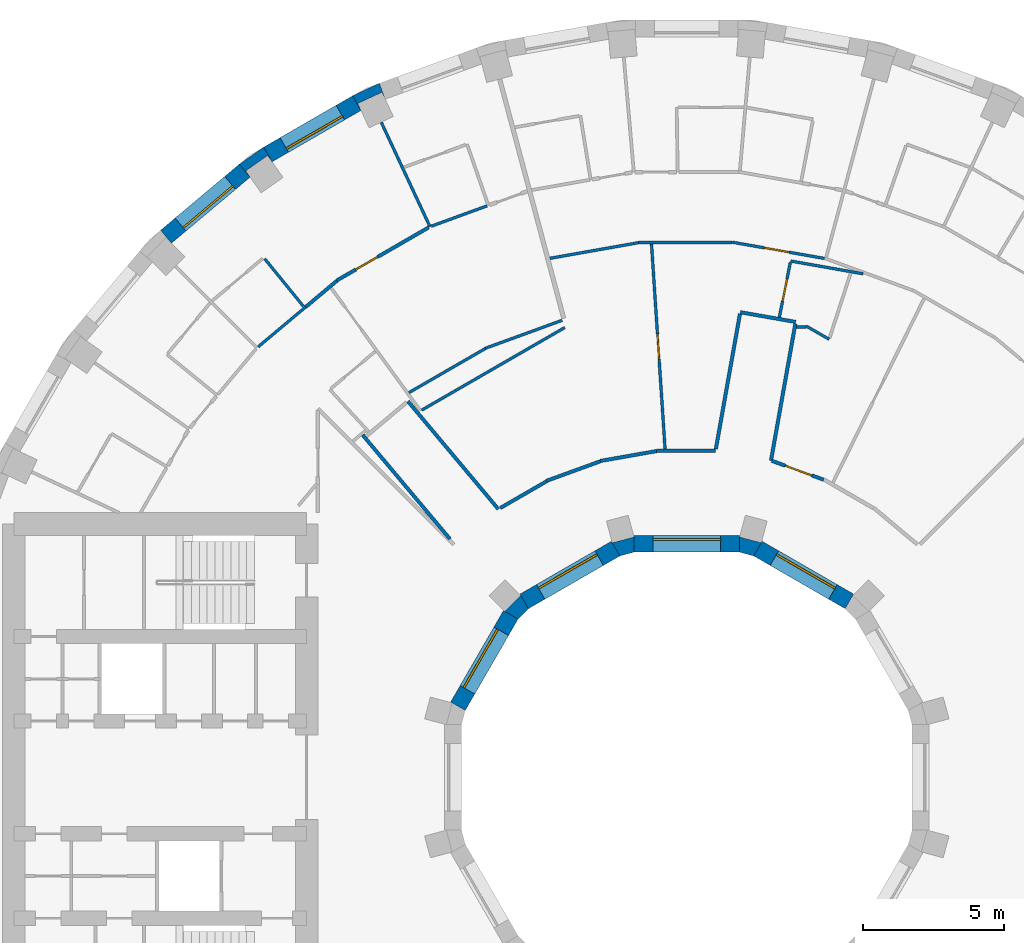
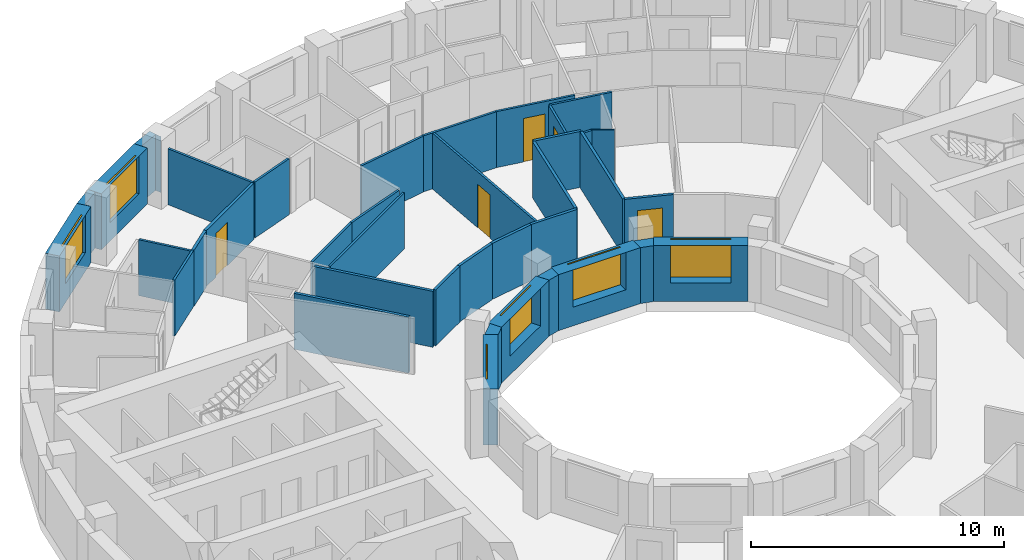
# One storey, part 12 of 16: 38 walls, 6 windows, 5 doors, 11 openings.
"""IFC4 building model written with IfcOpenShell, lengths in metres."""

from ifc_helpers import new_model, si_unit, direction, frame, frame_2d, origin, place, context, subcontext, project, spatial, polyline, rectangle, outline, extrude, material, layer, layer_set, type_object, element, fill, save


model = new_model("IFC4")

# Units and contexts
model_context = context("Model", 3, precision=1e-05, world=origin(), true_north=direction((0.0, 1.0)))
body_context = subcontext(model_context, "Body", "Model", "MODEL_VIEW")
ifc_project = project(units=[si_unit("LENGTHUNIT", "METRE"), si_unit("AREAUNIT", "SQUARE_METRE"), si_unit("VOLUMEUNIT", "CUBIC_METRE"), si_unit("PLANEANGLEUNIT", "RADIAN"), si_unit("MASSUNIT", "GRAM", prefix="KILO")], contexts=[model_context])

# Site, building, storey
site_placement = place(None, origin())
site = spatial("IfcSite", under=ifc_project, at=site_placement, CompositionType="ELEMENT")
building_placement = place(site_placement, origin())
building = spatial("IfcBuilding", under=site, at=building_placement, Name="Saqina Gate Tower", CompositionType="ELEMENT")
storey_placement = place(building_placement, frame((0.0, 0.0, 148.0)))
storey = spatial("IfcBuildingStorey", under=building, at=storey_placement, Name="L42", CompositionType="ELEMENT", Elevation=148.0)

# Walls
ifc_material_1 = material(Name="Brick masonry (buff)", Category="masonry")
wall_type_1 = type_object("IfcWallType", Name="BRICK PIER COPING BUFF", PredefinedType="SOLIDWALL", material=ifc_material_1)
wall_1_placement = place(storey_placement, origin())
element("IfcWall", 1, at=wall_1_placement, inside=storey, type_object=wall_type_1, Name="Pier cap L42 column 12", PredefinedType="SOLIDWALL", context=body_context, shape_type="SweptSolid", body=[
    extrude(outline(polyline([(-10.913330078125, 24.6513671875), (-11.869140625, 24.205810546875), (-11.569091796875, 23.68603515625), (-11.6826171875, 23.9296875), (-10.82177734375, 24.331298828125), (-10.7080078125, 24.08740234375), (-10.913330078125, 24.6513671875)])), origin(), (0.0, 0.0, 1.0), 2.699951171875),
])
wall_2_placement = place(storey_placement, origin())
element("IfcWall", 2, at=wall_2_placement, inside=storey, type_object=wall_type_1, Name="Pier cap L42 column 13", PredefinedType="SOLIDWALL", context=body_context, shape_type="SweptSolid", body=[
    extrude(outline(polyline([(-15.89208984375, 21.77685546875), (-15.50634765625, 21.317138671875), (-15.66064453125, 21.53759765625), (-14.88232421875, 22.08251953125), (-14.728271484375, 21.862060546875), (-15.0283203125, 22.3818359375), (-15.89208984375, 21.77685546875)])), origin(), (0.0, 0.0, 1.0), 2.699951171875),
])

# Wall, opening, window
ifc_material_2 = material(Name="Brick masonry (buff)", Category="masonry")
ifc_layer_1 = layer(ifc_material_2, 0.60009765625)
ifc_layer_set_1 = layer_set([ifc_layer_1], Name="FW-BRICK-BUFF")
wall_type_2 = type_object("IfcWallType", Name="FW-BRICK-BUFF", PredefinedType="SOLIDWALL", material=ifc_layer_set_1)
wall_3_placement = place(storey_placement, frame((-11.718994140625, 23.94580078125, 0.0), z_axis=(0.0, 0.0, 1.0), x_axis=(-0.866051847062, -0.499954196102, 0.0)))
wall_3 = element("IfcWall", 3, at=wall_3_placement, inside=storey, type_object=wall_type_2, Name="Facade wall L42 facet 12", PredefinedType="SOLIDWALL", context=body_context, shape_type="SweptSolid", body=[
    extrude(rectangle(XDim=3.647705078125, YDim=0.60009765625, at=frame_2d((1.82373046875, 0.0))), origin(), (0.0, 0.0, 1.0), 2.699951171875),
])
opening_1_placement = place(wall_3_placement, frame((0.673828125, 0.0, 0.89990234375)))
opening_1 = element("IfcOpeningElement", 4, at=opening_1_placement, cuts=wall_3, Name="Opening G12-W10", PredefinedType="OPENING", context=body_context, shape_type="SweptSolid", body=[
    extrude(rectangle(XDim=2.300048828125, YDim=1.800048828125, at=frame_2d((1.14990234375, 0.89990234375))), frame((0.0, 0.31201171875, 0.0), z_axis=(0.0, -1.0, 0.0), x_axis=(1.0, 0.0, 0.0)), (0.0, 0.0, 1.0), 0.6240234375),
])
ifc_material_3 = material(Name="Aluminium glazing", Category="aluminium")
window_type_1 = type_object("IfcWindowType", Name="WN-B", PartitioningType="SINGLE_PANEL", PredefinedType="WINDOW", material=ifc_material_3)
window_1_placement = place(opening_1_placement, origin())
window_1 = element("IfcWindow", 5, at=window_1_placement, inside=storey, type_object=window_type_1, Name="Window L42 facet 12", OverallHeight=1.800048828125, OverallWidth=2.300048828125, PartitioningType="SINGLE_PANEL", PredefinedType="WINDOW", context=body_context, shape_type="SweptSolid", body=[
    extrude(rectangle(XDim=2.300048828125, YDim=1.800048828125, at=frame_2d((1.14990234375, 0.89990234375))), frame((0.0, 0.179931640625, 0.0), z_axis=(0.0, -1.0, 0.0), x_axis=(1.0, 0.0, 0.0)), (0.0, 0.0, 1.0), 0.06005859375),
])
fill(opening_1, window_1)

wall_4_placement = place(storey_placement, frame((-15.69921875, 21.547119140625, 0.0), z_axis=(0.0, 0.0, 1.0), x_axis=(-0.766055462616, -0.642774476932, 0.0)))
wall_4 = element("IfcWall", 6, at=wall_4_placement, inside=storey, type_object=wall_type_2, Name="Facade wall L42 facet 13", PredefinedType="SOLIDWALL", context=body_context, shape_type="SweptSolid", body=[
    extrude(rectangle(XDim=3.647705078125, YDim=0.60009765625, at=frame_2d((1.82373046875, 0.0))), origin(), (0.0, 0.0, 1.0), 2.699951171875),
])
opening_2_placement = place(wall_4_placement, frame((0.673828125, 0.0, 0.89990234375)))
opening_2 = element("IfcOpeningElement", 7, at=opening_2_placement, cuts=wall_4, Name="Opening G12-W11", PredefinedType="OPENING", context=body_context, shape_type="SweptSolid", body=[
    extrude(rectangle(XDim=2.300048828125, YDim=1.800048828125, at=frame_2d((1.14990234375, 0.89990234375))), frame((0.0, 0.31201171875, 0.0), z_axis=(0.0, -1.0, 0.0), x_axis=(1.0, 0.0, 0.0)), (0.0, 0.0, 1.0), 0.6240234375),
])
window_2_placement = place(opening_2_placement, origin())
window_2 = element("IfcWindow", 8, at=window_2_placement, inside=storey, type_object=window_type_1, Name="Window L42 facet 13", OverallHeight=1.800048828125, OverallWidth=2.300048828125, PartitioningType="SINGLE_PANEL", PredefinedType="WINDOW", context=body_context, shape_type="SweptSolid", body=[
    extrude(rectangle(XDim=2.300048828125, YDim=1.800048828125, at=frame_2d((1.14990234375, 0.89990234375))), frame((0.0, 0.179931640625, 0.0), z_axis=(0.0, -1.0, 0.0), x_axis=(1.0, 0.0, 0.0)), (0.0, 0.0, 1.0), 0.06005859375),
])
fill(opening_2, window_2)

ifc_material_4 = material(Name="Glazed ceramic tile", Category="ceramic")
ifc_layer_2 = layer(ifc_material_4, 0.60009765625)
ifc_layer_set_2 = layer_set([ifc_layer_2], Name="IW-TILE")
wall_type_3 = type_object("IfcWallType", Name="IW-TILE", PredefinedType="SOLIDWALL", material=ifc_layer_set_2)
wall_5_placement = place(storey_placement, frame((5.772705078125, 6.251220703125, 0.0), z_axis=(0.0, 0.0, 1.0), x_axis=(-0.86604563398, 0.499964958637, 0.0)))
wall_5 = element("IfcWall", 9, at=wall_5_placement, inside=storey, type_object=wall_type_3, Name="Well wall L42 facet 2", PredefinedType="SOLIDWALL", context=body_context, shape_type="SweptSolid", body=[
    extrude(rectangle(XDim=3.747314453125, YDim=0.60009765625, at=frame_2d((1.87353515625, 0.0))), origin(), (0.0, 0.0, 1.0), 2.699951171875),
])
opening_3_placement = place(wall_5_placement, frame((0.673583984375, 0.0, 0.89990234375)))
opening_3 = element("IfcOpeningElement", 10, at=opening_3_placement, cuts=wall_5, Name="Opening G12-W24", PredefinedType="OPENING", context=body_context, shape_type="SweptSolid", body=[
    extrude(rectangle(XDim=2.39990234375, YDim=1.800048828125, at=frame_2d((1.199951171875, 0.89990234375))), frame((0.0, 0.31201171875, 0.0), z_axis=(0.0, -1.0, 0.0), x_axis=(1.0, 0.0, 0.0)), (0.0, 0.0, 1.0), 0.6240234375),
])
ifc_material_5 = material(Name="Aluminium glazing", Category="aluminium")
window_type_2 = type_object("IfcWindowType", Name="WN-W", PartitioningType="SINGLE_PANEL", PredefinedType="WINDOW", material=ifc_material_5)
window_3_placement = place(opening_3_placement, origin())
window_3 = element("IfcWindow", 11, at=window_3_placement, inside=storey, type_object=window_type_2, Name="Well window L42 facet 2", OverallHeight=1.800048828125, OverallWidth=2.39990234375, PartitioningType="SINGLE_PANEL", PredefinedType="WINDOW", context=body_context, shape_type="SweptSolid", body=[
    extrude(rectangle(XDim=2.39990234375, YDim=1.800048828125, at=frame_2d((1.199951171875, 0.89990234375))), frame((0.0, -0.119873046875, 0.0), z_axis=(0.0, -1.0, 0.0), x_axis=(1.0, 0.0, 0.0)), (0.0, 0.0, 1.0), 0.06005859375),
])
fill(opening_3, window_3)

wall_6_placement = place(storey_placement, frame((1.873779296875, 8.300048828125, 0.0), z_axis=(0.0, 0.0, 1.0), x_axis=(-1.0, 0.0, 0.0)))
wall_6 = element("IfcWall", 12, at=wall_6_placement, inside=storey, type_object=wall_type_3, Name="Well wall L42 facet 3", PredefinedType="SOLIDWALL", context=body_context, shape_type="SweptSolid", body=[
    extrude(rectangle(XDim=3.74755859375, YDim=0.60009765625, at=frame_2d((1.873779296875, 0.0))), origin(), (0.0, 0.0, 1.0), 2.699951171875),
])
opening_4_placement = place(wall_6_placement, frame((0.673583984375, 0.0, 0.89990234375)))
opening_4 = element("IfcOpeningElement", 13, at=opening_4_placement, cuts=wall_6, Name="Opening G12-W25", PredefinedType="OPENING", context=body_context, shape_type="SweptSolid", body=[
    extrude(rectangle(XDim=2.39990234375, YDim=1.800048828125, at=frame_2d((1.199951171875, 0.89990234375))), frame((0.0, 0.31201171875, 0.0), z_axis=(0.0, -1.0, 0.0), x_axis=(1.0, 0.0, 0.0)), (0.0, 0.0, 1.0), 0.6240234375),
])
window_4_placement = place(opening_4_placement, origin())
window_4 = element("IfcWindow", 14, at=window_4_placement, inside=storey, type_object=window_type_2, Name="Well window L42 facet 3", OverallHeight=1.800048828125, OverallWidth=2.39990234375, PartitioningType="SINGLE_PANEL", PredefinedType="WINDOW", context=body_context, shape_type="SweptSolid", body=[
    extrude(rectangle(XDim=2.39990234375, YDim=1.800048828125, at=frame_2d((1.199951171875, 0.89990234375))), frame((0.0, -0.119873046875, 0.0), z_axis=(0.0, -1.0, 0.0), x_axis=(1.0, 0.0, 0.0)), (0.0, 0.0, 1.0), 0.06005859375),
])
fill(opening_4, window_4)

wall_7_placement = place(storey_placement, frame((-2.52734375, 8.124755859375, 0.0), z_axis=(0.0, 0.0, 1.0), x_axis=(-0.86604563398, -0.499964958637, 0.0)))
wall_7 = element("IfcWall", 15, at=wall_7_placement, inside=storey, type_object=wall_type_3, Name="Well wall L42 facet 4", PredefinedType="SOLIDWALL", context=body_context, shape_type="SweptSolid", body=[
    extrude(rectangle(XDim=3.747314453125, YDim=0.60009765625, at=frame_2d((1.87353515625, 0.0))), origin(), (0.0, 0.0, 1.0), 2.699951171875),
])
opening_5_placement = place(wall_7_placement, frame((0.673583984375, 0.0, 0.89990234375)))
opening_5 = element("IfcOpeningElement", 16, at=opening_5_placement, cuts=wall_7, Name="Opening G12-W26", PredefinedType="OPENING", context=body_context, shape_type="SweptSolid", body=[
    extrude(rectangle(XDim=2.39990234375, YDim=1.800048828125, at=frame_2d((1.199951171875, 0.89990234375))), frame((0.0, 0.31201171875, 0.0), z_axis=(0.0, -1.0, 0.0), x_axis=(1.0, 0.0, 0.0)), (0.0, 0.0, 1.0), 0.6240234375),
])
window_5_placement = place(opening_5_placement, origin())
window_5 = element("IfcWindow", 17, at=window_5_placement, inside=storey, type_object=window_type_2, Name="Well window L42 facet 4", OverallHeight=1.800048828125, OverallWidth=2.39990234375, PartitioningType="SINGLE_PANEL", PredefinedType="WINDOW", context=body_context, shape_type="SweptSolid", body=[
    extrude(rectangle(XDim=2.39990234375, YDim=1.800048828125, at=frame_2d((1.199951171875, 0.89990234375))), frame((0.0, -0.119873046875, 0.0), z_axis=(0.0, -1.0, 0.0), x_axis=(1.0, 0.0, 0.0)), (0.0, 0.0, 1.0), 0.06005859375),
])
fill(opening_5, window_5)

wall_8_placement = place(storey_placement, frame((-6.251220703125, 5.772705078125, 0.0), z_axis=(0.0, 0.0, 1.0), x_axis=(-0.499964958637, -0.86604563398, 0.0)))
wall_8 = element("IfcWall", 18, at=wall_8_placement, inside=storey, type_object=wall_type_3, Name="Well wall L42 facet 5", PredefinedType="SOLIDWALL", context=body_context, shape_type="SweptSolid", body=[
    extrude(rectangle(XDim=3.747314453125, YDim=0.60009765625, at=frame_2d((1.87353515625, 0.0))), origin(), (0.0, 0.0, 1.0), 2.699951171875),
])
opening_6_placement = place(wall_8_placement, frame((0.673583984375, 0.0, 0.89990234375)))
opening_6 = element("IfcOpeningElement", 19, at=opening_6_placement, cuts=wall_8, Name="Opening G12-W27", PredefinedType="OPENING", context=body_context, shape_type="SweptSolid", body=[
    extrude(rectangle(XDim=2.39990234375, YDim=1.800048828125, at=frame_2d((1.199951171875, 0.89990234375))), frame((0.0, 0.31201171875, 0.0), z_axis=(0.0, -1.0, 0.0), x_axis=(1.0, 0.0, 0.0)), (0.0, 0.0, 1.0), 0.6240234375),
])
window_6_placement = place(opening_6_placement, origin())
window_6 = element("IfcWindow", 20, at=window_6_placement, inside=storey, type_object=window_type_2, Name="Well window L42 facet 5", OverallHeight=1.800048828125, OverallWidth=2.39990234375, PartitioningType="SINGLE_PANEL", PredefinedType="WINDOW", context=body_context, shape_type="SweptSolid", body=[
    extrude(rectangle(XDim=2.39990234375, YDim=1.800048828125, at=frame_2d((1.199951171875, 0.89990234375))), frame((0.0, -0.119873046875, 0.0), z_axis=(0.0, -1.0, 0.0), x_axis=(1.0, 0.0, 0.0)), (0.0, 0.0, 1.0), 0.06005859375),
])
fill(opening_6, window_6)

# Wall, opening, door
ifc_material_6 = material(Name="Gypsum board on steel studs, 100 mm", Category="steel")
ifc_layer_3 = layer(ifc_material_6, 0.10009765625)
ifc_layer_set_3 = layer_set([ifc_layer_3], Name="PARTITION 100")
wall_type_4 = type_object("IfcWallType", Name="PARTITION 100", PredefinedType="PARTITIONING", material=ifc_layer_set_3)
wall_9_placement = place(storey_placement, frame((-1.253662109375, 18.94921875, 0.0), z_axis=(0.0, 0.0, 1.0), x_axis=(0.066059696755, -0.997815672589, 0.0)))
wall_9 = element("IfcWall", 21, at=wall_9_placement, inside=storey, type_object=wall_type_4, Name="PARTITION PW3-02", PredefinedType="PARTITIONING", context=body_context, shape_type="SweptSolid", body=[
    extrude(rectangle(XDim=7.302734375, YDim=0.10009765625, at=frame_2d((3.6513671875, 0.0))), origin(), (0.0, 0.0, 1.0), 2.699951171875),
])
opening_7_placement = place(wall_9_placement, frame((3.20849609375, 0.0, 0.0)))
opening_7 = element("IfcOpeningElement", 22, at=opening_7_placement, cuts=wall_9, Name="Opening G12-D18", PredefinedType="OPENING", context=body_context, shape_type="SweptSolid", body=[
    extrude(rectangle(XDim=0.89990234375, YDim=2.10009765625, at=frame_2d((0.449951171875, 1.050048828125))), frame((0.0, 0.06201171875, 0.0), z_axis=(0.0, -1.0, 0.0), x_axis=(1.0, 0.0, 0.0)), (0.0, 0.0, 1.0), 0.1240234375),
])
ifc_material_7 = material(Name="Timber door leaf, 900 mm", Category="wood")
door_type_1 = type_object("IfcDoorType", Name="DOOR 900 TIMBER", OperationType="SINGLE_SWING_LEFT", PredefinedType="DOOR", material=ifc_material_7)
door_1_placement = place(opening_7_placement, origin())
door_1 = element("IfcDoor", 23, at=door_1_placement, inside=storey, type_object=door_type_1, Name="DOOR G12-D18", OperationType="SINGLE_SWING_RIGHT", OverallHeight=2.10009765625, OverallWidth=0.89990234375, PredefinedType="DOOR", context=body_context, shape_type="SweptSolid", body=[
    extrude(rectangle(XDim=0.89990234375, YDim=2.10009765625, at=frame_2d((0.449951171875, 1.050048828125))), frame((0.0, 0.02490234375, 0.0), z_axis=(0.0, -1.0, 0.0), x_axis=(1.0, 0.0, 0.0)), (0.0, 0.0, 1.0), 0.050048828125),
])
fill(opening_7, door_1)

# Walls
wall_10_placement = place(storey_placement, frame((-10.84716796875, 23.260009765625, 0.0), z_axis=(0.0, 0.0, 1.0), x_axis=(0.422784035137, -0.906230467173, 0.0)))
element("IfcWall", 24, at=wall_10_placement, inside=storey, type_object=wall_type_4, Name="PARTITION PW3-08", PredefinedType="PARTITIONING", context=body_context, shape_type="SweptSolid", body=[
    extrude(rectangle(XDim=4.0849609375, YDim=0.10009765625, at=frame_2d((2.04248046875, 0.0))), origin(), (0.0, 0.0, 1.0), 2.699951171875),
])
wall_11_placement = place(storey_placement, frame((-14.98876953125, 18.419189453125, 0.0), z_axis=(0.0, 0.0, 1.0), x_axis=(0.63124481093, -0.775583643893, 0.0)))
element("IfcWall", 25, at=wall_11_placement, inside=storey, type_object=wall_type_4, Name="PARTITION PW3-15", PredefinedType="PARTITIONING", context=body_context, shape_type="SweptSolid", body=[
    extrude(rectangle(XDim=2.18359375, YDim=0.10009765625, at=frame_2d((1.091796875, 0.0))), origin(), (0.0, 0.0, 1.0), 2.699951171875),
])
wall_12_placement = place(storey_placement, frame((4.238037109375, 16.03076171875, 0.0), z_axis=(0.0, 0.0, 1.0), x_axis=(0.866215708717, -0.499670237228, 0.0)))
element("IfcWall", 26, at=wall_12_placement, inside=storey, type_object=wall_type_4, Name="PARTITION PW3-41", PredefinedType="PARTITIONING", context=body_context, shape_type="SweptSolid", body=[
    extrude(rectangle(XDim=0.944580078125, YDim=0.10009765625, at=frame_2d((0.47216796875, 0.0))), origin(), (0.0, 0.0, 1.0), 2.699951171875),
])
wall_13_placement = place(storey_placement, frame((3.68798828125, 18.337890625, 0.0), z_axis=(0.0, 0.0, 1.0), x_axis=(0.984859586639, -0.173353957572, 0.0)))
element("IfcWall", 27, at=wall_13_placement, inside=storey, type_object=wall_type_4, Name="PARTITION PW3-56", PredefinedType="PARTITIONING", context=body_context, shape_type="SweptSolid", body=[
    extrude(rectangle(XDim=2.615234375, YDim=0.10009765625, at=frame_2d((1.3076171875, 0.0))), origin(), (0.0, 0.0, 1.0), 2.699951171875),
])

# Wall, opening, door
wall_14_placement = place(storey_placement, frame((1.612060546875, 19.0078125, 0.0), z_axis=(0.0, 0.0, 1.0), x_axis=(0.984770991222, -0.173856535243, 0.0)))
wall_14 = element("IfcWall", 28, at=wall_14_placement, inside=storey, type_object=wall_type_4, Name="PARTITION PW3-57", PredefinedType="PARTITIONING", context=body_context, shape_type="SweptSolid", body=[
    extrude(rectangle(XDim=3.3251953125, YDim=0.10009765625, at=frame_2d((1.66259765625, 0.0))), origin(), (0.0, 0.0, 1.0), 2.699951171875),
])
opening_8_placement = place(wall_14_placement, frame((1.1630859375, 0.0, 0.0)))
opening_8 = element("IfcOpeningElement", 29, at=opening_8_placement, cuts=wall_14, Name="Opening G12-D14", PredefinedType="OPENING", context=body_context, shape_type="SweptSolid", body=[
    extrude(rectangle(XDim=0.89990234375, YDim=2.10009765625, at=frame_2d((0.449951171875, 1.050048828125))), frame((0.0, 0.06201171875, 0.0), z_axis=(0.0, -1.0, 0.0), x_axis=(1.0, 0.0, 0.0)), (0.0, 0.0, 1.0), 0.1240234375),
])
door_2_placement = place(opening_8_placement, frame((0.89990234375, 0.0, 0.0), z_axis=(0.0, 0.0, 1.0), x_axis=(-1.0, 0.0, 0.0)))
door_2 = element("IfcDoor", 30, at=door_2_placement, inside=storey, type_object=door_type_1, Name="DOOR G12-D14", OperationType="SINGLE_SWING_LEFT", OverallHeight=2.10009765625, OverallWidth=0.89990234375, PredefinedType="DOOR", context=body_context, shape_type="SweptSolid", body=[
    extrude(rectangle(XDim=0.89990234375, YDim=2.10009765625, at=frame_2d((0.449951171875, 1.050048828125))), frame((0.0, 0.02490234375, 0.0), z_axis=(0.0, -1.0, 0.0), x_axis=(1.0, 0.0, 0.0)), (0.0, 0.0, 1.0), 0.050048828125),
])
fill(opening_8, door_2)

# Walls
wall_15_placement = place(storey_placement, frame((3.89892578125, 16.0, 0.0), z_axis=(0.0, 0.0, 1.0), x_axis=(1.0, 0.0, 0.0)))
element("IfcWall", 31, at=wall_15_placement, inside=storey, type_object=wall_type_4, Name="PARTITION PW3-60", PredefinedType="PARTITIONING", context=body_context, shape_type="SweptSolid", body=[
    extrude(rectangle(XDim=0.339111328125, YDim=0.10009765625, at=frame_2d((0.16943359375, 0.0))), origin(), (0.0, 0.0, 1.0), 2.699951171875),
])
wall_16_placement = place(storey_placement, frame((-1.712890625, 18.9990234375, 0.0), z_axis=(0.0, 0.0, 1.0), x_axis=(1.0, 0.0, 0.0)))
element("IfcWall", 32, at=wall_16_placement, inside=storey, type_object=wall_type_4, Name="PARTITION PW3-61", PredefinedType="PARTITIONING", context=body_context, shape_type="SweptSolid", body=[
    extrude(rectangle(XDim=3.324951171875, YDim=0.10009765625, at=frame_2d((1.66259765625, 0.0))), origin(), (0.0, 0.0, 1.0), 2.699951171875),
])
wall_17_placement = place(storey_placement, frame((-4.862060546875, 18.43408203125, 0.0), z_axis=(0.0, 0.0, 1.0), x_axis=(0.984777412926, 0.173820157031, 0.0)))
element("IfcWall", 33, at=wall_17_placement, inside=storey, type_object=wall_type_4, Name="PARTITION PW3-64", PredefinedType="PARTITIONING", context=body_context, shape_type="SweptSolid", body=[
    extrude(rectangle(XDim=3.199462890625, YDim=0.10009765625, at=frame_2d((1.599609375, 0.0))), origin(), (0.0, 0.0, 1.0), 2.699951171875),
])
wall_18_placement = place(storey_placement, frame((-7.16064453125, 15.237548828125, 0.0), z_axis=(0.0, 0.0, 1.0), x_axis=(0.939722354216, 0.341938440346, 0.0)))
element("IfcWall", 34, at=wall_18_placement, inside=storey, type_object=wall_type_4, Name="PARTITION PW3-69", PredefinedType="PARTITIONING", context=body_context, shape_type="SweptSolid", body=[
    extrude(rectangle(XDim=2.909423828125, YDim=0.10009765625, at=frame_2d((1.45458984375, 0.0))), origin(), (0.0, 0.0, 1.0), 2.699951171875),
])
wall_19_placement = place(storey_placement, frame((-9.072998046875, 19.5751953125, 0.0), z_axis=(0.0, 0.0, 1.0), x_axis=(0.939725675468, 0.341929312674, 0.0)))
element("IfcWall", 35, at=wall_19_placement, inside=storey, type_object=wall_type_4, Name="PARTITION PW3-70", PredefinedType="PARTITIONING", context=body_context, shape_type="SweptSolid", body=[
    extrude(rectangle(XDim=2.10498046875, YDim=0.10009765625, at=frame_2d((1.052490234375, 0.0))), origin(), (0.0, 0.0, 1.0), 2.699951171875),
])
wall_20_placement = place(storey_placement, frame((-9.413818359375, 13.04296875, 0.0), z_axis=(0.0, 0.0, 1.0), x_axis=(0.866050468633, 0.499956583896, 0.0)))
element("IfcWall", 36, at=wall_20_placement, inside=storey, type_object=wall_type_4, Name="PARTITION PW3-75", PredefinedType="PARTITIONING", context=body_context, shape_type="SweptSolid", body=[
    extrude(rectangle(XDim=5.8671875, YDim=0.10009765625, at=frame_2d((2.93359375, 0.0))), origin(), (0.0, 0.0, 1.0), 2.699951171875),
])
wall_21_placement = place(storey_placement, frame((-9.8662109375, 13.66552734375, 0.0), z_axis=(0.0, 0.0, 1.0), x_axis=(0.866045268016, 0.499965592563, 0.0)))
element("IfcWall", 37, at=wall_21_placement, inside=storey, type_object=wall_type_4, Name="PARTITION PW3-76", PredefinedType="PARTITIONING", context=body_context, shape_type="SweptSolid", body=[
    extrude(rectangle(XDim=3.129150390625, YDim=0.10009765625, at=frame_2d((1.564453125, 0.0))), origin(), (0.0, 0.0, 1.0), 2.699951171875),
])
wall_22_placement = place(storey_placement, frame((-15.2197265625, 15.2919921875, 0.0), z_axis=(0.0, 0.0, 1.0), x_axis=(0.766073622953, 0.642752832911, 0.0)))
element("IfcWall", 38, at=wall_22_placement, inside=storey, type_object=wall_type_4, Name="PARTITION PW3-85", PredefinedType="PARTITIONING", context=body_context, shape_type="SweptSolid", body=[
    extrude(rectangle(XDim=2.203369140625, YDim=0.10009765625, at=frame_2d((1.1015625, 0.0))), origin(), (0.0, 0.0, 1.0), 2.699951171875),
])

# Wall, opening, door
wall_23_placement = place(storey_placement, frame((3.285400390625, 16.34033203125, 0.0), z_axis=(0.0, 0.0, 1.0), x_axis=(0.197131685641, 0.980377018558, 0.0)))
wall_23 = element("IfcWall", 39, at=wall_23_placement, inside=storey, type_object=wall_type_4, Name="PARTITION PW3-114", PredefinedType="PARTITIONING", context=body_context, shape_type="SweptSolid", body=[
    extrude(rectangle(XDim=1.98779296875, YDim=0.10009765625, at=frame_2d((0.993896484375, 0.0))), origin(), (0.0, 0.0, 1.0), 2.699951171875),
])
opening_9_placement = place(wall_23_placement, frame((0.587158203125, 0.0, 0.0)))
opening_9 = element("IfcOpeningElement", 40, at=opening_9_placement, cuts=wall_23, Name="Opening G12-D13", PredefinedType="OPENING", context=body_context, shape_type="SweptSolid", body=[
    extrude(rectangle(XDim=0.800048828125, YDim=2.10009765625, at=frame_2d((0.39990234375, 1.050048828125))), frame((0.0, 0.06201171875, 0.0), z_axis=(0.0, -1.0, 0.0), x_axis=(1.0, 0.0, 0.0)), (0.0, 0.0, 1.0), 0.1240234375),
])
ifc_material_8 = material(Name="Timber door leaf, 800 mm", Category="wood")
door_type_2 = type_object("IfcDoorType", Name="DOOR 800 TIMBER", OperationType="SINGLE_SWING_LEFT", PredefinedType="DOOR", material=ifc_material_8)
door_3_placement = place(opening_9_placement, origin())
door_3 = element("IfcDoor", 41, at=door_3_placement, inside=storey, type_object=door_type_2, Name="DOOR G12-D13", OperationType="SINGLE_SWING_LEFT", OverallHeight=2.10009765625, OverallWidth=0.800048828125, PredefinedType="DOOR", context=body_context, shape_type="SweptSolid", body=[
    extrude(rectangle(XDim=0.800048828125, YDim=2.10009765625, at=frame_2d((0.39990234375, 1.050048828125))), frame((0.0, 0.02490234375, 0.0), z_axis=(0.0, -1.0, 0.0), x_axis=(1.0, 0.0, 0.0)), (0.0, 0.0, 1.0), 0.050048828125),
])
fill(opening_9, door_3)

# Walls
ifc_material_9 = material(Name="Gypsum board on steel studs, 125 mm, fire rated", Category="steel")
ifc_layer_4 = layer(ifc_material_9, 0.125)
ifc_layer_set_4 = layer_set([ifc_layer_4], Name="PARTITION EI 30 125")
wall_type_5 = type_object("IfcWallType", Name="PARTITION EI 30 125", PredefinedType="PARTITIONING", material=ifc_layer_set_4)
wall_24_placement = place(storey_placement, frame((-11.51123046875, 12.16357421875, 0.0), z_axis=(0.0, 0.0, 1.0), x_axis=(0.64269368401, -0.766123246308, 0.0)))
element("IfcWall", 42, at=wall_24_placement, inside=storey, type_object=wall_type_5, Name="PARTITION PW1-05", PredefinedType="PARTITIONING", context=body_context, shape_type="SweptSolid", body=[
    extrude(rectangle(XDim=4.826171875, YDim=0.125, at=frame_2d((2.4130859375, 0.0))), origin(), (0.0, 0.0, 1.0), 2.699951171875),
])
wall_25_placement = place(storey_placement, frame((-9.904052734375, 13.35888671875, 0.0), z_axis=(0.0, 0.0, 1.0), x_axis=(0.64260671374, -0.766196196451, 0.0)))
element("IfcWall", 43, at=wall_25_placement, inside=storey, type_object=wall_type_5, Name="PARTITION PW1-07", PredefinedType="PARTITIONING", context=body_context, shape_type="SweptSolid", body=[
    extrude(rectangle(XDim=4.999755859375, YDim=0.125, at=frame_2d((2.5, 0.0))), origin(), (0.0, 0.0, 1.0), 2.699951171875),
])

# Wall, opening, door
wall_26_placement = place(storey_placement, frame((3.012939453125, 11.24609375, 0.0), z_axis=(0.0, 0.0, 1.0), x_axis=(0.939532310436, -0.342460271633, 0.0)))
wall_26 = element("IfcWall", 44, at=wall_26_placement, inside=storey, type_object=wall_type_5, Name="PARTITION PW1-23", PredefinedType="PARTITIONING", context=body_context, shape_type="SweptSolid", body=[
    extrude(rectangle(XDim=1.967529296875, YDim=0.125, at=frame_2d((0.98388671875, 0.0))), origin(), (0.0, 0.0, 1.0), 2.699951171875),
])
opening_10_placement = place(wall_26_placement, frame((0.514892578125, 0.0, 0.0)))
opening_10 = element("IfcOpeningElement", 45, at=opening_10_placement, cuts=wall_26, Name="Opening G12-D10", PredefinedType="OPENING", context=body_context, shape_type="SweptSolid", body=[
    extrude(rectangle(XDim=1.0, YDim=2.10009765625, at=frame_2d((0.5, 1.050048828125))), frame((0.0, 0.074462890625, 0.0), z_axis=(0.0, -1.0, 0.0), x_axis=(1.0, 0.0, 0.0)), (0.0, 0.0, 1.0), 0.14892578125),
])
ifc_material_10 = material(Name="Fire door leaf EI 30, 1000 mm")
door_type_3 = type_object("IfcDoorType", Name="DOOR 1000 EI 30", OperationType="SINGLE_SWING_LEFT", PredefinedType="DOOR", material=ifc_material_10)
door_4_placement = place(opening_10_placement, origin())
door_4 = element("IfcDoor", 46, at=door_4_placement, inside=storey, type_object=door_type_3, Name="DOOR G12-D10", OperationType="SINGLE_SWING_LEFT", OverallHeight=2.10009765625, OverallWidth=1.0, PredefinedType="DOOR", context=body_context, shape_type="SweptSolid", body=[
    extrude(rectangle(XDim=1.0, YDim=2.10009765625, at=frame_2d((0.5, 1.050048828125))), frame((0.0, 0.02490234375, 0.0), z_axis=(0.0, -1.0, 0.0), x_axis=(1.0, 0.0, 0.0)), (0.0, 0.0, 1.0), 0.050048828125),
])
fill(opening_10, door_4)

# Walls
wall_27_placement = place(storey_placement, frame((1.89892578125, 16.520751953125, 0.0), z_axis=(0.0, 0.0, 1.0), x_axis=(0.984836400178, -0.173485633079, 0.0)))
element("IfcWall", 47, at=wall_27_placement, inside=storey, type_object=wall_type_5, Name="PARTITION PW1-26", PredefinedType="PARTITIONING", context=body_context, shape_type="SweptSolid", body=[
    extrude(rectangle(XDim=1.998291015625, YDim=0.125, at=frame_2d((0.9990234375, 0.0))), origin(), (0.0, 0.0, 1.0), 2.699951171875),
])
wall_28_placement = place(storey_placement, frame((-1.078369140625, 11.60009765625, 0.0), z_axis=(0.0, 0.0, 1.0), x_axis=(1.0, 0.0, 0.0)))
element("IfcWall", 48, at=wall_28_placement, inside=storey, type_object=wall_type_5, Name="PARTITION PW1-29", PredefinedType="PARTITIONING", context=body_context, shape_type="SweptSolid", body=[
    extrude(rectangle(XDim=2.09326171875, YDim=0.125, at=frame_2d((1.046630859375, 0.0))), origin(), (0.0, 0.0, 1.0), 2.699951171875),
])
wall_29_placement = place(storey_placement, frame((-3.076171875, 11.237060546875, 0.0), z_axis=(0.0, 0.0, 1.0), x_axis=(0.984851276096, 0.173401164851, 0.0)))
element("IfcWall", 49, at=wall_29_placement, inside=storey, type_object=wall_type_5, Name="PARTITION PW1-32", PredefinedType="PARTITIONING", context=body_context, shape_type="SweptSolid", body=[
    extrude(rectangle(XDim=2.0302734375, YDim=0.125, at=frame_2d((1.01513671875, 0.0))), origin(), (0.0, 0.0, 1.0), 2.699951171875),
])
wall_30_placement = place(storey_placement, frame((-4.980712890625, 10.53125, 0.0), z_axis=(0.0, 0.0, 1.0), x_axis=(0.939529919943, 0.342466829826, 0.0)))
element("IfcWall", 50, at=wall_30_placement, inside=storey, type_object=wall_type_5, Name="PARTITION PW1-36", PredefinedType="PARTITIONING", context=body_context, shape_type="SweptSolid", body=[
    extrude(rectangle(XDim=2.031005859375, YDim=0.125, at=frame_2d((1.015625, 0.0))), origin(), (0.0, 0.0, 1.0), 2.699951171875),
])
wall_31_placement = place(storey_placement, frame((-6.623779296875, 9.567138671875, 0.0), z_axis=(0.0, 0.0, 1.0), x_axis=(0.865978549379, 0.500081145431, 0.0)))
element("IfcWall", 51, at=wall_31_placement, inside=storey, type_object=wall_type_5, Name="PARTITION PW1-40", PredefinedType="PARTITIONING", context=body_context, shape_type="SweptSolid", body=[
    extrude(rectangle(XDim=1.905029296875, YDim=0.125, at=frame_2d((0.95263671875, 0.0))), origin(), (0.0, 0.0, 1.0), 2.699951171875),
])

# Wall, opening, door
wall_32_placement = place(storey_placement, frame((-12.431884765625, 17.64501953125, 0.0), z_axis=(0.0, 0.0, 1.0), x_axis=(0.866012062527, 0.500023107024, 0.0)))
wall_32 = element("IfcWall", 52, at=wall_32_placement, inside=storey, type_object=wall_type_5, Name="PARTITION PW1-41", PredefinedType="PARTITIONING", context=body_context, shape_type="SweptSolid", body=[
    extrude(rectangle(XDim=3.772216796875, YDim=0.125, at=frame_2d((1.88623046875, 0.0))), origin(), (0.0, 0.0, 1.0), 2.699951171875),
])
opening_11_placement = place(wall_32_placement, frame((0.783203125, 0.0, 0.0)))
opening_11 = element("IfcOpeningElement", 53, at=opening_11_placement, cuts=wall_32, Name="Opening G12-D23", PredefinedType="OPENING", context=body_context, shape_type="SweptSolid", body=[
    extrude(rectangle(XDim=0.89990234375, YDim=2.10009765625, at=frame_2d((0.449951171875, 1.050048828125))), frame((0.0, 0.074462890625, 0.0), z_axis=(0.0, -1.0, 0.0), x_axis=(1.0, 0.0, 0.0)), (0.0, 0.0, 1.0), 0.14892578125),
])
ifc_material_11 = material(Name="Fire door leaf EI 30, 900 mm")
door_type_4 = type_object("IfcDoorType", Name="DOOR 900 EI 30", OperationType="SINGLE_SWING_LEFT", PredefinedType="DOOR", material=ifc_material_11)
door_5_placement = place(opening_11_placement, origin())
door_5 = element("IfcDoor", 54, at=door_5_placement, inside=storey, type_object=door_type_4, Name="DOOR G12-D23", OperationType="SINGLE_SWING_LEFT", OverallHeight=2.10009765625, OverallWidth=0.89990234375, PredefinedType="DOOR", context=body_context, shape_type="SweptSolid", body=[
    extrude(rectangle(XDim=0.89990234375, YDim=2.10009765625, at=frame_2d((0.449951171875, 1.050048828125))), frame((0.0, 0.02490234375, 0.0), z_axis=(0.0, -1.0, 0.0), x_axis=(1.0, 0.0, 0.0)), (0.0, 0.0, 1.0), 0.050048828125),
])
fill(opening_11, door_5)

# Walls
wall_33_placement = place(storey_placement, frame((-13.53173828125, 16.708251953125, 0.0), z_axis=(0.0, 0.0, 1.0), x_axis=(0.766167387458, 0.642641061866, 0.0)))
element("IfcWall", 55, at=wall_33_placement, inside=storey, type_object=wall_type_5, Name="PARTITION PW1-47", PredefinedType="PARTITIONING", context=body_context, shape_type="SweptSolid", body=[
    extrude(rectangle(XDim=1.44482421875, YDim=0.125, at=frame_2d((0.722412109375, 0.0))), origin(), (0.0, 0.0, 1.0), 2.699951171875),
])
wall_34_placement = place(storey_placement, frame((2.990234375, 11.252685546875, 0.0), z_axis=(0.0, 0.0, 1.0), x_axis=(0.175376377953, 0.984501460667, 0.0)))
element("IfcWall", 56, at=wall_34_placement, inside=storey, type_object=wall_type_5, Name="PARTITION PW1-56", PredefinedType="PARTITIONING", context=body_context, shape_type="SweptSolid", body=[
    extrude(rectangle(XDim=4.936279296875, YDim=0.125, at=frame_2d((2.46826171875, 0.0))), origin(), (0.0, 0.0, 1.0), 2.699951171875),
])
wall_35_placement = place(storey_placement, frame((1.03173828125, 11.66064453125, 0.0), z_axis=(0.0, 0.0, 1.0), x_axis=(0.175547946832, 0.984470882435, 0.0)))
element("IfcWall", 57, at=wall_35_placement, inside=storey, type_object=wall_type_5, Name="PARTITION PW1-57", PredefinedType="PARTITIONING", context=body_context, shape_type="SweptSolid", body=[
    extrude(rectangle(XDim=4.87451171875, YDim=0.125, at=frame_2d((2.437255859375, 0.0))), origin(), (0.0, 0.0, 1.0), 2.699951171875),
])
ifc_material_12 = material(Name="Glazed ceramic tile", Category="ceramic")
wall_type_6 = type_object("IfcWallType", Name="TILE PIER COPING", PredefinedType="SOLIDWALL", material=ifc_material_12)
wall_36_placement = place(storey_placement, origin())
element("IfcWall", 58, at=wall_36_placement, inside=storey, type_object=wall_type_6, Name="Well pier cap L42 column 3", PredefinedType="SOLIDWALL", context=body_context, shape_type="SweptSolid", body=[
    extrude(outline(polyline([(1.873779296875, 8.5380859375), (1.873779296875, 8.0), (2.377197265625, 7.864990234375), (2.646484375, 8.3310546875), (1.873779296875, 8.5380859375)])), origin(), (0.0, 0.0, 1.0), 2.699951171875),
])
wall_37_placement = place(storey_placement, origin())
element("IfcWall", 59, at=wall_37_placement, inside=storey, type_object=wall_type_6, Name="Well pier cap L42 column 4", PredefinedType="SOLIDWALL", context=body_context, shape_type="SweptSolid", body=[
    extrude(outline(polyline([(-2.646484375, 8.3310546875), (-2.377197265625, 7.864990234375), (-1.873779296875, 8.0), (-1.873779296875, 8.5380859375), (-2.646484375, 8.3310546875)])), origin(), (0.0, 0.0, 1.0), 2.699951171875),
])
wall_38_placement = place(storey_placement, origin())
element("IfcWall", 60, at=wall_38_placement, inside=storey, type_object=wall_type_6, Name="Well pier cap L42 column 5", PredefinedType="SOLIDWALL", context=body_context, shape_type="SweptSolid", body=[
    extrude(outline(polyline([(-6.45751953125, 5.891845703125), (-5.991455078125, 5.622802734375), (-5.622802734375, 5.991455078125), (-5.891845703125, 6.45751953125), (-6.45751953125, 5.891845703125)])), origin(), (0.0, 0.0, 1.0), 2.699951171875),
])

save(model, "model.ifc")
